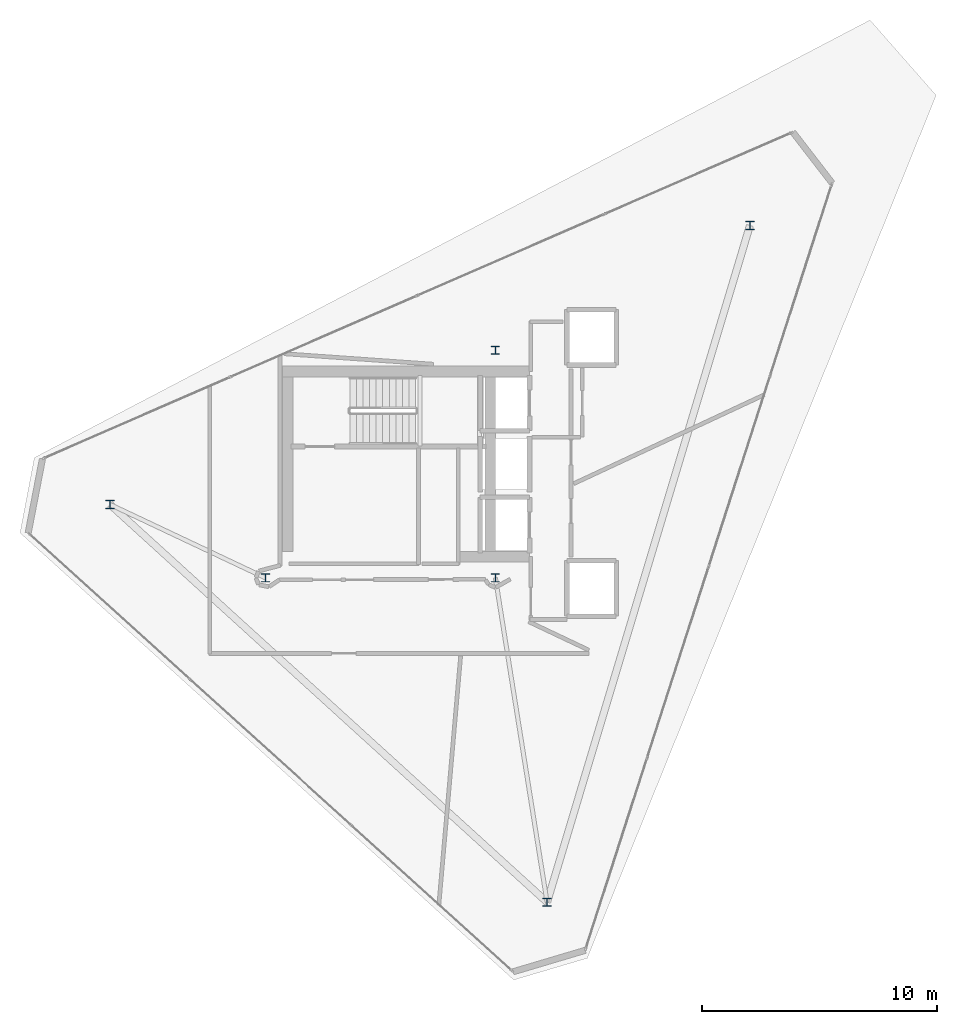
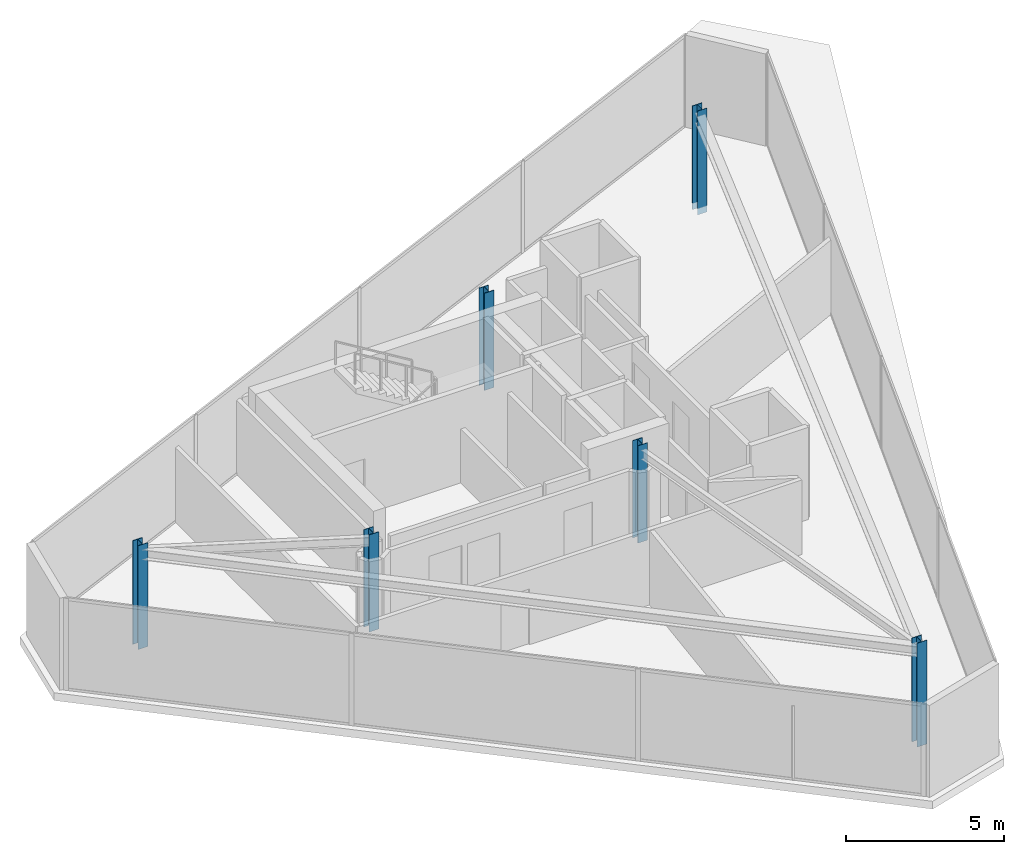
# One storey, part 1 of 14: 6 columns.
"""IFC4 building model written with IfcOpenShell, lengths in metres."""

from ifc_helpers import new_model, si_unit, direction, frame, origin, origin_2d, place, context, subcontext, project, spatial, i_section, extrude, material, material_profile, profile_set, type_object, element, save


model = new_model("IFC4")

# Units and contexts
model_context = context("Model", 3, precision=1e-05, world=origin(), true_north=direction((0.0, 1.0)))
body_context = subcontext(model_context, "Body", "Model", "MODEL_VIEW")
ifc_project = project(units=[si_unit("LENGTHUNIT", "METRE"), si_unit("AREAUNIT", "SQUARE_METRE"), si_unit("VOLUMEUNIT", "CUBIC_METRE"), si_unit("PLANEANGLEUNIT", "RADIAN"), si_unit("MASSUNIT", "GRAM", prefix="KILO")], contexts=[model_context])

# Site, building, storey
site_placement = place(None, origin())
site = spatial("IfcSite", under=ifc_project, at=site_placement, CompositionType="ELEMENT")
building_placement = place(site_placement, origin())
building = spatial("IfcBuilding", under=site, at=building_placement, Name="Qianvela Tower", CompositionType="ELEMENT")
storey_placement = place(building_placement, frame((0.0, 0.0, 356.300048828125)))
storey = spatial("IfcBuildingStorey", under=building, at=storey_placement, Name="L92", CompositionType="ELEMENT", Elevation=356.300048828125)

# Columns
ifc_material = material(Name="Steel Q355B", Category="steel")
ifc_material_profile = material_profile(ifc_material, i_section(OverallWidth=0.35009765625, OverallDepth=0.35009765625, WebThickness=0.011962890625, FlangeThickness=0.01904296875, at=origin_2d()), Name="HW350x350x12x19")
ifc_profile_set = profile_set([ifc_material_profile], Name="Steel Q355B")
column_type = type_object("IfcColumnType", Name="COL-HW-350", PredefinedType="COLUMN", material=ifc_profile_set)
for number, where, z_axis, x_axis, name in (
    (1, (28.60009765625, 23.85009765625, 0.0), (0.0, 0.0, 1.0), (1.0, 0.0, 0.0), "L92 Core Corner Mega-Column CC-SW"),
    (2, (38.39990234375, 33.550048828125, 0.0), (0.0, 0.0, 1.0), (1.0, 0.0, 0.0), "L92 Core Corner Mega-Column CC-NE"),
    (3, (38.39990234375, 23.85009765625, 0.0), (0.0, 0.0, 1.0), (1.0, 0.0, 0.0), "L92 Core Corner Mega-Column CC-SE"),
):
    element("IfcColumn", number, at=place(storey_placement, frame(where, z_axis=z_axis, x_axis=x_axis)), inside=storey, type_object=column_type, Name=name, PredefinedType="COLUMN", context=body_context, shape_type="SweptSolid", body=[
        extrude(i_section(OverallWidth=0.35009765625, OverallDepth=0.35009765625, WebThickness=0.011962890625, FlangeThickness=0.01904296875, at=origin_2d()), origin(), (0.0, 0.0, 1.0), 3.75),
    ])
for number, where, z_axis, x_axis, name in (
    (4, (49.248046875, 38.866943359375, -0.25), (0.0, 0.0, 1.0), (1.0, 0.0, 0.0), "L92 Crown Frame Column CR1"),
    (5, (40.60400390625, 10.027099609375, -0.25), (0.0, 0.0, 1.0), (1.0, 0.0, 0.0), "L92 Crown Frame Column CR2"),
    (6, (21.98095703125, 26.97607421875, -0.25), (0.0, 0.0, 1.0), (1.0, 0.0, 0.0), "L92 Crown Frame Column CR3"),
):
    element("IfcColumn", number, at=place(storey_placement, frame(where, z_axis=z_axis, x_axis=x_axis)), inside=storey, type_object=column_type, Name=name, PredefinedType="COLUMN", context=body_context, shape_type="SweptSolid", body=[
        extrude(i_section(OverallWidth=0.35009765625, OverallDepth=0.35009765625, WebThickness=0.011962890625, FlangeThickness=0.01904296875, at=origin_2d()), origin(), (0.0, 0.0, 1.0), 4.0),
    ])

save(model, "model.ifc")
